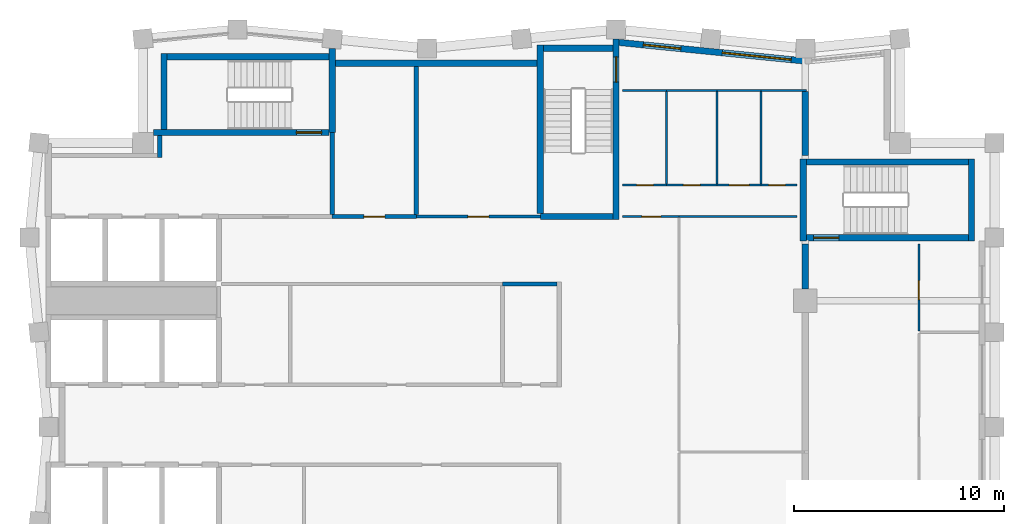
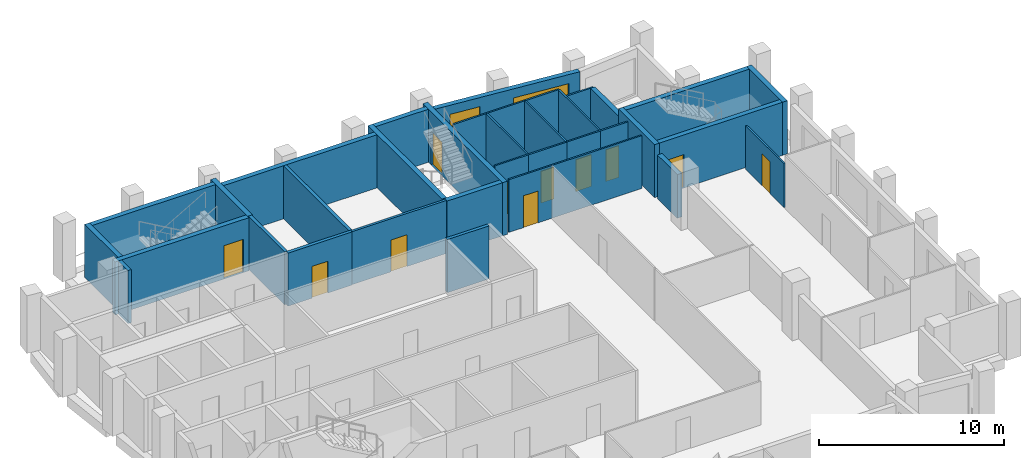
# One storey, part 5 of 7: 36 walls, 11 doors, 2 windows, 13 openings.
"""IFC4 building model written with IfcOpenShell, lengths in metres."""

from ifc_helpers import new_model, si_unit, direction, frame, frame_2d, origin, place, context, subcontext, project, spatial, rectangle, extrude, material, layer, layer_set, type_object, element, fill, save


model = new_model("IFC4")

# Units and contexts
model_context = context("Model", 3, precision=1e-05, world=origin(), true_north=direction((0.0, 1.0)))
body_context = subcontext(model_context, "Body", "Model", "MODEL_VIEW")
ifc_project = project(units=[si_unit("LENGTHUNIT", "METRE"), si_unit("AREAUNIT", "SQUARE_METRE"), si_unit("VOLUMEUNIT", "CUBIC_METRE"), si_unit("PLANEANGLEUNIT", "RADIAN"), si_unit("MASSUNIT", "GRAM", prefix="KILO")], contexts=[model_context])

# Site, building, storey
site_placement = place(None, origin())
site = spatial("IfcSite", under=ifc_project, at=site_placement, CompositionType="ELEMENT")
building_placement = place(site_placement, origin())
building = spatial("IfcBuilding", under=site, at=building_placement, Name="Brondeck Convention Tower", CompositionType="ELEMENT")
storey_placement = place(building_placement, frame((0.0, 0.0, 267.60009765625)))
storey = spatial("IfcBuildingStorey", under=building, at=storey_placement, Name="L66", CompositionType="ELEMENT", Elevation=267.60009765625)

# Walls
ifc_material_1 = material(Name="Concrete compartment wall C30/37", Category="concrete")
ifc_layer_1 = layer(ifc_material_1, 0.300048828125)
ifc_layer_set_1 = layer_set([ifc_layer_1], Name="Compartment wall 300")
wall_type_1 = type_object("IfcWallType", Name="Compartment wall 300", PredefinedType="PARTITIONING", material=ifc_layer_set_1)
wall_1_placement = place(storey_placement, frame((36.0, 51.554931640625, 0.0), z_axis=(0.0, 0.0, 1.0), x_axis=(0.0, 1.0, 0.0)))
element("IfcWall", 1, at=wall_1_placement, inside=storey, type_object=wall_type_1, Name="FLR-L66-W040", PredefinedType="PARTITIONING", context=body_context, shape_type="SweptSolid", body=[
    extrude(rectangle(XDim=2.14501953125, YDim=0.300048828125, at=frame_2d((1.072509765625, 0.0))), origin(), (0.0, 0.0, 1.0), 2.8798828125),
])
wall_2_placement = place(storey_placement, frame((36.0, 60.949951171875, 0.0), z_axis=(0.0, 0.0, 1.0), x_axis=(0.0, -1.0, 0.0)))
element("IfcWall", 2, at=wall_2_placement, inside=storey, type_object=wall_type_1, Name="FLR-L66-W052", PredefinedType="PARTITIONING", context=body_context, shape_type="SweptSolid", body=[
    extrude(rectangle(XDim=3.050048828125, YDim=0.300048828125, at=frame_2d((1.52490234375, 0.0))), origin(), (0.0, 0.0, 1.0), 2.8798828125),
])
ifc_material_2 = material(Name="Concrete C50/60", Category="concrete")
ifc_layer_2 = layer(ifc_material_2, 0.300048828125)
ifc_layer_set_2 = layer_set([ifc_layer_2], Name="Core outer wall 300 Concrete C50/60")
wall_type_2 = type_object("IfcWallType", Name="Core outer wall 300 Concrete C50/60", PredefinedType="SHEAR", material=ifc_layer_set_2)
wall_3_placement = place(storey_placement, frame((13.64990234375, 62.300048828125, 0.0), z_axis=(0.0, 0.0, 1.0), x_axis=(1.0, 0.0, 0.0)))
element("IfcWall", 3, at=wall_3_placement, inside=storey, type_object=wall_type_2, Name="L66 core wall", PredefinedType="SHEAR", context=body_context, shape_type="SweptSolid", body=[
    extrude(rectangle(XDim=9.60009765625, YDim=0.300048828125, at=frame_2d((4.800048828125, 0.0))), origin(), (0.0, 0.0, 1.0), 3.5),
])

# Wall, opening, door
ifc_material_3 = material(Name="Fire-rated gypsum board partition")
ifc_layer_3 = layer(ifc_material_3, 0.14990234375)
ifc_layer_set_3 = layer_set([ifc_layer_3], Name="Core partition 150 EI 60")
wall_type_3 = type_object("IfcWallType", Name="Core partition 150 EI 60", PredefinedType="PARTITIONING", material=ifc_layer_set_3)
wall_4_placement = place(storey_placement, frame((17.5, 55.0, 0.0), z_axis=(0.0, 0.0, 1.0), x_axis=(1.0, 0.0, 0.0)))
wall_4 = element("IfcWall", 4, at=wall_4_placement, inside=storey, type_object=wall_type_3, Name="L66 core wall", PredefinedType="PARTITIONING", context=body_context, shape_type="SweptSolid", body=[
    extrude(rectangle(XDim=5.89990234375, YDim=0.14990234375, at=frame_2d((2.949951171875, 0.0))), origin(), (0.0, 0.0, 1.0), 3.5),
])
opening_1_placement = place(wall_4_placement, frame((2.449951171875, 0.0, 0.0)))
opening_1 = element("IfcOpeningElement", 5, at=opening_1_placement, cuts=wall_4, Name="Opening C37-12", PredefinedType="OPENING", context=body_context, shape_type="SweptSolid", body=[
    extrude(rectangle(XDim=1.0, YDim=2.10009765625, at=frame_2d((0.5, 1.050048828125))), frame((0.0, 0.0849609375, 0.0), z_axis=(0.0, -1.0, 0.0), x_axis=(1.0, 0.0, 0.0)), (0.0, 0.0, 1.0), 0.169921875),
])
ifc_material_4 = material(Name="Steel fire door", Category="steel")
door_type_1 = type_object("IfcDoorType", Name="Room door 1000x2100 EI 60", OperationType="NOTDEFINED", PredefinedType="DOOR", material=ifc_material_4)
door_1_placement = place(opening_1_placement, origin())
door_1 = element("IfcDoor", 6, at=door_1_placement, inside=storey, type_object=door_type_1, Name="L66 Room door NE-2", OperationType="SINGLE_SWING_RIGHT", OverallHeight=2.10009765625, OverallWidth=1.0, PredefinedType="DOOR", context=body_context, shape_type="SweptSolid", body=[
    extrude(rectangle(XDim=1.0, YDim=2.10009765625, at=frame_2d((0.5, 1.050048828125))), frame((0.0, 0.02490234375, 0.0), z_axis=(0.0, -1.0, 0.0), x_axis=(1.0, 0.0, 0.0)), (0.0, 0.0, 1.0), 0.050048828125),
])
fill(opening_1, door_1)

# Wall, openings, windows
ifc_material_5 = material(Name="Precast concrete C50/60 bronze finish", Category="concrete")
ifc_layer_4 = layer(ifc_material_5, 0.070068359375, Name="Bronze precast facing")
ifc_material_6 = material(Name="Mineral wool")
ifc_layer_5 = layer(ifc_material_6, 0.159912109375, Name="Insulation")
ifc_material_7 = material(Name="Concrete C35/45", Category="concrete")
ifc_layer_6 = layer(ifc_material_7, 0.070068359375, Name="Backing")
ifc_layer_set_4 = layer_set([ifc_layer_4, ifc_layer_5, ifc_layer_6], Name="External infill wall, precast concrete C50/60 bronze facing")
wall_type_4 = type_object("IfcWallType", Name="External infill wall, precast concrete C50/60 bronze facing", PredefinedType="SOLIDWALL", material=ifc_layer_set_4)
wall_5_placement = place(storey_placement, frame((27.089599609375, 63.2880859375, 0.0), z_axis=(0.0, 0.0, 1.0), x_axis=(0.995035835913, -0.09951726106, 0.0)))
wall_5 = element("IfcWall", 7, at=wall_5_placement, inside=storey, type_object=wall_type_4, Name="ENV-EW-L66-P3-A-N-07", PredefinedType="SOLIDWALL", context=body_context, shape_type="SweptSolid", body=[
    extrude(rectangle(XDim=8.9248046875, YDim=0.300048828125, at=frame_2d((4.46240234375, 0.0))), origin(), (0.0, 0.0, 1.0), 3.14990234375),
])
opening_2_placement = place(wall_5_placement, frame((1.211181640625, 0.0, 0.75)))
opening_2 = element("IfcOpeningElement", 8, at=opening_2_placement, cuts=wall_5, Name="Opening W10", PredefinedType="OPENING", context=body_context, shape_type="SweptSolid", body=[
    extrude(rectangle(XDim=1.800048828125, YDim=1.800048828125, at=frame_2d((0.89990234375, 0.89990234375))), frame((0.0, 0.159912109375, 0.0), z_axis=(0.0, -1.0, 0.0), x_axis=(1.0, 0.0, 0.0)), (0.0, 0.0, 1.0), 0.320068359375),
])
opening_3_placement = place(wall_5_placement, frame((4.983642578125, 0.0, 0.14990234375)))
opening_3 = element("IfcOpeningElement", 9, at=opening_3_placement, cuts=wall_5, Name="Opening W9", PredefinedType="OPENING", context=body_context, shape_type="SweptSolid", body=[
    extrude(rectangle(XDim=3.300048828125, YDim=2.39990234375, at=frame_2d((1.64990234375, 1.199951171875))), frame((0.0, 0.159912109375, 0.0), z_axis=(0.0, -1.0, 0.0), x_axis=(1.0, 0.0, 0.0)), (0.0, 0.0, 1.0), 0.320068359375),
])
ifc_material_8 = material(Name="Bronze tinted double glazing", Category="glass")
window_type_1 = type_object("IfcWindowType", Name="Glazed flute window, bronze tinted", PartitioningType="SINGLE_PANEL", PredefinedType="WINDOW", material=ifc_material_8)
window_1_placement = place(opening_3_placement, origin())
window_1 = element("IfcWindow", 10, at=window_1_placement, inside=storey, type_object=window_type_1, Name="ENV-WN-L66-P3-A-N-07", OverallHeight=2.39990234375, OverallWidth=3.300048828125, PartitioningType="SINGLE_PANEL", PredefinedType="WINDOW", context=body_context, shape_type="SweptSolid", body=[
    extrude(rectangle(XDim=3.300048828125, YDim=2.39990234375, at=frame_2d((1.64990234375, 1.199951171875))), frame((0.0, 0.030029296875, 0.0), z_axis=(0.0, -1.0, 0.0), x_axis=(1.0, 0.0, 0.0)), (0.0, 0.0, 1.0), 0.06005859375),
])
fill(opening_3, window_1)
window_type_2 = type_object("IfcWindowType", Name="Punched window, bronze tinted", PartitioningType="SINGLE_PANEL", PredefinedType="WINDOW", material=ifc_material_8)
window_2_placement = place(opening_2_placement, origin())
window_2 = element("IfcWindow", 11, at=window_2_placement, inside=storey, type_object=window_type_2, Name="ENV-WN-L66-P3-A-N-06", OverallHeight=1.800048828125, OverallWidth=1.800048828125, PartitioningType="SINGLE_PANEL", PredefinedType="WINDOW", context=body_context, shape_type="SweptSolid", body=[
    extrude(rectangle(XDim=1.800048828125, YDim=1.800048828125, at=frame_2d((0.89990234375, 0.89990234375))), frame((0.0, 0.030029296875, 0.0), z_axis=(0.0, -1.0, 0.0), x_axis=(1.0, 0.0, 0.0)), (0.0, 0.0, 1.0), 0.06005859375),
])
fill(opening_2, window_2)

# Walls
ifc_layer_7 = layer(ifc_material_3, 0.199951171875)
ifc_layer_set_5 = layer_set([ifc_layer_7], Name="Firefighting lobby wall 200 EI 120")
wall_type_5 = type_object("IfcWallType", Name="Firefighting lobby wall 200 EI 120", PredefinedType="PARTITIONING", material=ifc_layer_set_5)
wall_6_placement = place(storey_placement, frame((5.300048828125, 57.800048828125, 0.0), z_axis=(0.0, 0.0, 1.0), x_axis=(0.0, 1.0, 0.0)))
element("IfcWall", 12, at=wall_6_placement, inside=storey, type_object=wall_type_5, Name="L66 core wall", PredefinedType="PARTITIONING", context=body_context, shape_type="SweptSolid", body=[
    extrude(rectangle(XDim=1.050048828125, YDim=0.199951171875, at=frame_2d((0.52490234375, 0.0))), origin(), (0.0, 0.0, 1.0), 3.5),
])
wall_7_placement = place(storey_placement, frame((13.5, 55.10009765625, 0.0), z_axis=(0.0, 0.0, 1.0), x_axis=(0.0, 1.0, 0.0)))
element("IfcWall", 13, at=wall_7_placement, inside=storey, type_object=wall_type_5, Name="L66 core wall", PredefinedType="PARTITIONING", context=body_context, shape_type="SweptSolid", body=[
    extrude(rectangle(XDim=3.89990234375, YDim=0.199951171875, at=frame_2d((1.949951171875, 0.0))), origin(), (0.0, 0.0, 1.0), 3.5),
])
ifc_layer_8 = layer(ifc_material_3, 0.199951171875)
ifc_layer_set_6 = layer_set([ifc_layer_8], Name="Riser wall 200 EI 120")
wall_type_6 = type_object("IfcWallType", Name="Riser wall 200 EI 120", PredefinedType="PARTITIONING", material=ifc_layer_set_6)
wall_8_placement = place(storey_placement, frame((21.60009765625, 51.800048828125, 0.0), z_axis=(0.0, 0.0, 1.0), x_axis=(1.0, 0.0, 0.0)))
element("IfcWall", 14, at=wall_8_placement, inside=storey, type_object=wall_type_6, Name="L66 core wall", PredefinedType="PARTITIONING", context=body_context, shape_type="SweptSolid", body=[
    extrude(rectangle(XDim=2.599853515625, YDim=0.199951171875, at=frame_2d((1.2998046875, 0.0))), origin(), (0.0, 0.0, 1.0), 3.5),
])

# Wall, opening, door
wall_9_placement = place(storey_placement, frame((13.5, 55.0, 0.0), z_axis=(0.0, 0.0, 1.0), x_axis=(1.0, 0.0, 0.0)))
wall_9 = element("IfcWall", 15, at=wall_9_placement, inside=storey, type_object=wall_type_6, Name="L66 core wall", PredefinedType="PARTITIONING", context=body_context, shape_type="SweptSolid", body=[
    extrude(rectangle(XDim=4.0, YDim=0.199951171875, at=frame_2d((2.0, 0.0))), origin(), (0.0, 0.0, 1.0), 3.5),
])
opening_4_placement = place(wall_9_placement, frame((1.5, 0.0, 0.0)))
opening_4 = element("IfcOpeningElement", 16, at=opening_4_placement, cuts=wall_9, Name="Opening C37-11", PredefinedType="OPENING", context=body_context, shape_type="SweptSolid", body=[
    extrude(rectangle(XDim=1.0, YDim=2.10009765625, at=frame_2d((0.5, 1.050048828125))), frame((0.0, 0.10986328125, 0.0), z_axis=(0.0, -1.0, 0.0), x_axis=(1.0, 0.0, 0.0)), (0.0, 0.0, 1.0), 0.219970703125),
])
door_type_2 = type_object("IfcDoorType", Name="Riser door 1000x2100 EI 120", OperationType="NOTDEFINED", PredefinedType="DOOR", material=ifc_material_4)
door_2_placement = place(opening_4_placement, origin())
door_2 = element("IfcDoor", 17, at=door_2_placement, inside=storey, type_object=door_type_2, Name="L66 Riser door NE-1", OperationType="SINGLE_SWING_LEFT", OverallHeight=2.10009765625, OverallWidth=1.0, PredefinedType="DOOR", context=body_context, shape_type="SweptSolid", body=[
    extrude(rectangle(XDim=1.0, YDim=2.10009765625, at=frame_2d((0.5, 1.050048828125))), frame((0.0, 0.02490234375, 0.0), z_axis=(0.0, -1.0, 0.0), x_axis=(1.0, 0.0, 0.0)), (0.0, 0.0, 1.0), 0.050048828125),
])
fill(opening_4, door_2)

# Wall
wall_10_placement = place(storey_placement, frame((17.5, 55.10009765625, 0.0), z_axis=(0.0, 0.0, 1.0), x_axis=(0.0, 1.0, 0.0)))
element("IfcWall", 18, at=wall_10_placement, inside=storey, type_object=wall_type_6, Name="L66 core wall", PredefinedType="PARTITIONING", context=body_context, shape_type="SweptSolid", body=[
    extrude(rectangle(XDim=7.0498046875, YDim=0.199951171875, at=frame_2d((3.52490234375, 0.0))), origin(), (0.0, 0.0, 1.0), 3.5),
])

# Wall, opening, door
ifc_material_9 = material(Name="Gypsum board partition on steel studs", Category="steel")
ifc_layer_9 = layer(ifc_material_9, 0.10009765625)
ifc_layer_set_7 = layer_set([ifc_layer_9], Name="Room partition 100")
wall_type_7 = type_object("IfcWallType", Name="Room partition 100", PredefinedType="PARTITIONING", material=ifc_layer_set_7)
wall_11_placement = place(storey_placement, frame((41.39990234375, 53.699951171875, 0.0), z_axis=(0.0, 0.0, 1.0), x_axis=(0.0, -1.0, 0.0)))
wall_11 = element("IfcWall", 19, at=wall_11_placement, inside=storey, type_object=wall_type_7, Name="FLR-L66-W041", PredefinedType="PARTITIONING", context=body_context, shape_type="SweptSolid", body=[
    extrude(rectangle(XDim=4.14990234375, YDim=0.10009765625, at=frame_2d((2.074951171875, 0.0))), origin(), (0.0, 0.0, 1.0), 2.8798828125),
])
opening_5_placement = place(wall_11_placement, frame((1.75, 0.0, 0.0)))
opening_5 = element("IfcOpeningElement", 20, at=opening_5_placement, cuts=wall_11, Name="Opening EX-C-003", PredefinedType="OPENING", context=body_context, shape_type="SweptSolid", body=[
    extrude(rectangle(XDim=0.89990234375, YDim=2.10009765625, at=frame_2d((0.449951171875, 1.050048828125))), frame((0.0, 0.06005859375, 0.0), z_axis=(0.0, -1.0, 0.0), x_axis=(1.0, 0.0, 0.0)), (0.0, 0.0, 1.0), 0.1201171875),
])
ifc_material_10 = material(Name="Solid timber door leaf", Category="wood")
door_type_3 = type_object("IfcDoorType", Name="Single door 900", OperationType="NOTDEFINED", PredefinedType="DOOR", material=ifc_material_10)
door_3_placement = place(opening_5_placement, origin())
door_3 = element("IfcDoor", 21, at=door_3_placement, inside=storey, type_object=door_type_3, Name="Door EX-C-003", OperationType="SINGLE_SWING_RIGHT", OverallHeight=2.10009765625, OverallWidth=0.89990234375, PredefinedType="DOOR", context=body_context, shape_type="SweptSolid", body=[
    extrude(rectangle(XDim=0.89990234375, YDim=2.10009765625, at=frame_2d((0.449951171875, 1.050048828125))), frame((0.0, 0.02490234375, 0.0), z_axis=(0.0, -1.0, 0.0), x_axis=(1.0, 0.0, 0.0)), (0.0, 0.0, 1.0), 0.050048828125),
])
fill(opening_5, door_3)

wall_12_placement = place(storey_placement, frame((27.300048828125, 55.0, 0.0), z_axis=(0.0, 0.0, 1.0), x_axis=(1.0, 0.0, 0.0)))
wall_12 = element("IfcWall", 22, at=wall_12_placement, inside=storey, type_object=wall_type_7, Name="FLR-L66-W043", PredefinedType="PARTITIONING", context=body_context, shape_type="SweptSolid", body=[
    extrude(rectangle(XDim=2.699951171875, YDim=0.10009765625, at=frame_2d((1.35009765625, 0.0))), origin(), (0.0, 0.0, 1.0), 3.47998046875),
])
opening_6_placement = place(wall_12_placement, frame((0.925048828125, 0.0, 0.0)))
opening_6 = element("IfcOpeningElement", 23, at=opening_6_placement, cuts=wall_12, Name="Opening EX-C-009", PredefinedType="OPENING", context=body_context, shape_type="SweptSolid", body=[
    extrude(rectangle(XDim=0.89990234375, YDim=2.10009765625, at=frame_2d((0.449951171875, 1.050048828125))), frame((0.0, 0.06005859375, 0.0), z_axis=(0.0, -1.0, 0.0), x_axis=(1.0, 0.0, 0.0)), (0.0, 0.0, 1.0), 0.1201171875),
])
door_4_placement = place(opening_6_placement, origin())
door_4 = element("IfcDoor", 24, at=door_4_placement, inside=storey, type_object=door_type_3, Name="Door EX-C-009", OperationType="SINGLE_SWING_LEFT", OverallHeight=2.10009765625, OverallWidth=0.89990234375, PredefinedType="DOOR", context=body_context, shape_type="SweptSolid", body=[
    extrude(rectangle(XDim=0.89990234375, YDim=2.10009765625, at=frame_2d((0.449951171875, 1.050048828125))), frame((0.0, 0.02490234375, 0.0), z_axis=(0.0, -1.0, 0.0), x_axis=(1.0, 0.0, 0.0)), (0.0, 0.0, 1.0), 0.050048828125),
])
fill(opening_6, door_4)

# Wall
wall_13_placement = place(storey_placement, frame((35.60009765625, 55.0, 0.0), z_axis=(0.0, 0.0, 1.0), x_axis=(-1.0, 0.0, 0.0)))
element("IfcWall", 25, at=wall_13_placement, inside=storey, type_object=wall_type_7, Name="FLR-L66-W044", PredefinedType="PARTITIONING", context=body_context, shape_type="SweptSolid", body=[
    extrude(rectangle(XDim=5.60009765625, YDim=0.10009765625, at=frame_2d((2.800048828125, 0.0))), origin(), (0.0, 0.0, 1.0), 3.47998046875),
])

# Wall, opening, door
wall_14_placement = place(storey_placement, frame((27.300048828125, 56.5, 0.0), z_axis=(0.0, 0.0, 1.0), x_axis=(1.0, 0.0, 0.0)))
wall_14 = element("IfcWall", 26, at=wall_14_placement, inside=storey, type_object=wall_type_7, Name="FLR-L66-W045", PredefinedType="PARTITIONING", context=body_context, shape_type="SweptSolid", body=[
    extrude(rectangle(XDim=2.099853515625, YDim=0.10009765625, at=frame_2d((1.0498046875, 0.0))), origin(), (0.0, 0.0, 1.0), 3.47998046875),
])
opening_7_placement = place(wall_14_placement, frame((0.675048828125, 0.0, 0.0)))
opening_7 = element("IfcOpeningElement", 27, at=opening_7_placement, cuts=wall_14, Name="Opening EX-C-010", PredefinedType="OPENING", context=body_context, shape_type="SweptSolid", body=[
    extrude(rectangle(XDim=0.800048828125, YDim=2.10009765625, at=frame_2d((0.39990234375, 1.050048828125))), frame((0.0, 0.06005859375, 0.0), z_axis=(0.0, -1.0, 0.0), x_axis=(1.0, 0.0, 0.0)), (0.0, 0.0, 1.0), 0.1201171875),
])
door_type_4 = type_object("IfcDoorType", Name="En-suite door 800", OperationType="NOTDEFINED", PredefinedType="DOOR", material=ifc_material_10)
door_5_placement = place(opening_7_placement, origin())
door_5 = element("IfcDoor", 28, at=door_5_placement, inside=storey, type_object=door_type_4, Name="Door EX-C-010", OperationType="SINGLE_SWING_LEFT", OverallHeight=2.10009765625, OverallWidth=0.800048828125, PredefinedType="DOOR", context=body_context, shape_type="SweptSolid", body=[
    extrude(rectangle(XDim=0.800048828125, YDim=2.10009765625, at=frame_2d((0.39990234375, 1.050048828125))), frame((0.0, 0.02490234375, 0.0), z_axis=(0.0, -1.0, 0.0), x_axis=(1.0, 0.0, 0.0)), (0.0, 0.0, 1.0), 0.050048828125),
])
fill(opening_7, door_5)

wall_15_placement = place(storey_placement, frame((29.39990234375, 56.5, 0.0), z_axis=(0.0, 0.0, 1.0), x_axis=(1.0, 0.0, 0.0)))
wall_15 = element("IfcWall", 29, at=wall_15_placement, inside=storey, type_object=wall_type_7, Name="FLR-L66-W046", PredefinedType="PARTITIONING", context=body_context, shape_type="SweptSolid", body=[
    extrude(rectangle(XDim=2.400146484375, YDim=0.10009765625, at=frame_2d((1.2001953125, 0.0))), origin(), (0.0, 0.0, 1.0), 3.47998046875),
])
opening_8_placement = place(wall_15_placement, frame((0.800048828125, 0.0, 0.0)))
opening_8 = element("IfcOpeningElement", 30, at=opening_8_placement, cuts=wall_15, Name="Opening EX-C-011", PredefinedType="OPENING", context=body_context, shape_type="SweptSolid", body=[
    extrude(rectangle(XDim=0.800048828125, YDim=2.10009765625, at=frame_2d((0.39990234375, 1.050048828125))), frame((0.0, 0.06005859375, 0.0), z_axis=(0.0, -1.0, 0.0), x_axis=(1.0, 0.0, 0.0)), (0.0, 0.0, 1.0), 0.1201171875),
])
door_6_placement = place(opening_8_placement, origin())
door_6 = element("IfcDoor", 31, at=door_6_placement, inside=storey, type_object=door_type_4, Name="Door EX-C-011", OperationType="SINGLE_SWING_RIGHT", OverallHeight=2.10009765625, OverallWidth=0.800048828125, PredefinedType="DOOR", context=body_context, shape_type="SweptSolid", body=[
    extrude(rectangle(XDim=0.800048828125, YDim=2.10009765625, at=frame_2d((0.39990234375, 1.050048828125))), frame((0.0, 0.02490234375, 0.0), z_axis=(0.0, -1.0, 0.0), x_axis=(1.0, 0.0, 0.0)), (0.0, 0.0, 1.0), 0.050048828125),
])
fill(opening_8, door_6)

wall_16_placement = place(storey_placement, frame((31.800048828125, 56.5, 0.0), z_axis=(0.0, 0.0, 1.0), x_axis=(1.0, 0.0, 0.0)))
wall_16 = element("IfcWall", 32, at=wall_16_placement, inside=storey, type_object=wall_type_7, Name="FLR-L66-W047", PredefinedType="PARTITIONING", context=body_context, shape_type="SweptSolid", body=[
    extrude(rectangle(XDim=2.099853515625, YDim=0.10009765625, at=frame_2d((1.0498046875, 0.0))), origin(), (0.0, 0.0, 1.0), 3.47998046875),
])
opening_9_placement = place(wall_16_placement, frame((0.574951171875, 0.0, 0.0)))
opening_9 = element("IfcOpeningElement", 33, at=opening_9_placement, cuts=wall_16, Name="Opening EX-C-012", PredefinedType="OPENING", context=body_context, shape_type="SweptSolid", body=[
    extrude(rectangle(XDim=0.949951171875, YDim=2.10009765625, at=frame_2d((0.47509765625, 1.050048828125))), frame((0.0, 0.06005859375, 0.0), z_axis=(0.0, -1.0, 0.0), x_axis=(1.0, 0.0, 0.0)), (0.0, 0.0, 1.0), 0.1201171875),
])
door_type_5 = type_object("IfcDoorType", Name="Accessible door 950", OperationType="NOTDEFINED", PredefinedType="DOOR", material=ifc_material_10)
door_7_placement = place(opening_9_placement, origin())
door_7 = element("IfcDoor", 34, at=door_7_placement, inside=storey, type_object=door_type_5, Name="Door EX-C-012", OperationType="SINGLE_SWING_LEFT", OverallHeight=2.10009765625, OverallWidth=0.949951171875, PredefinedType="DOOR", context=body_context, shape_type="SweptSolid", body=[
    extrude(rectangle(XDim=0.949951171875, YDim=2.10009765625, at=frame_2d((0.47509765625, 1.050048828125))), frame((0.0, 0.02490234375, 0.0), z_axis=(0.0, -1.0, 0.0), x_axis=(1.0, 0.0, 0.0)), (0.0, 0.0, 1.0), 0.050048828125),
])
fill(opening_9, door_7)

wall_17_placement = place(storey_placement, frame((33.89990234375, 56.5, 0.0), z_axis=(0.0, 0.0, 1.0), x_axis=(1.0, 0.0, 0.0)))
wall_17 = element("IfcWall", 35, at=wall_17_placement, inside=storey, type_object=wall_type_7, Name="FLR-L66-W048", PredefinedType="PARTITIONING", context=body_context, shape_type="SweptSolid", body=[
    extrude(rectangle(XDim=1.7001953125, YDim=0.10009765625, at=frame_2d((0.85009765625, 0.0))), origin(), (0.0, 0.0, 1.0), 3.47998046875),
])
opening_10_placement = place(wall_17_placement, frame((0.35009765625, 0.0, 0.0)))
opening_10 = element("IfcOpeningElement", 36, at=opening_10_placement, cuts=wall_17, Name="Opening EX-C-013", PredefinedType="OPENING", context=body_context, shape_type="SweptSolid", body=[
    extrude(rectangle(XDim=0.800048828125, YDim=2.10009765625, at=frame_2d((0.39990234375, 1.050048828125))), frame((0.0, 0.06005859375, 0.0), z_axis=(0.0, -1.0, 0.0), x_axis=(1.0, 0.0, 0.0)), (0.0, 0.0, 1.0), 0.1201171875),
])
ifc_material_11 = material(Name="Steel service door leaf", Category="steel")
door_type_6 = type_object("IfcDoorType", Name="Service door 800", OperationType="NOTDEFINED", PredefinedType="DOOR", material=ifc_material_11)
door_8_placement = place(opening_10_placement, origin())
door_8 = element("IfcDoor", 37, at=door_8_placement, inside=storey, type_object=door_type_6, Name="Door EX-C-013", OperationType="SINGLE_SWING_LEFT", OverallHeight=2.10009765625, OverallWidth=0.800048828125, PredefinedType="DOOR", context=body_context, shape_type="SweptSolid", body=[
    extrude(rectangle(XDim=0.800048828125, YDim=2.10009765625, at=frame_2d((0.39990234375, 1.050048828125))), frame((0.0, 0.02490234375, 0.0), z_axis=(0.0, -1.0, 0.0), x_axis=(1.0, 0.0, 0.0)), (0.0, 0.0, 1.0), 0.050048828125),
])
fill(opening_10, door_8)

# Walls
for number, where, z_axis, x_axis, name in (
    (38, (29.39990234375, 60.949951171875, 0.0), (0.0, 0.0, 1.0), (0.0, -1.0, 0.0), "FLR-L66-W049"),
    (39, (31.800048828125, 60.949951171875, 0.0), (0.0, 0.0, 1.0), (0.0, -1.0, 0.0), "FLR-L66-W050"),
    (40, (33.89990234375, 60.949951171875, 0.0), (0.0, 0.0, 1.0), (0.0, -1.0, 0.0), "FLR-L66-W051"),
):
    element("IfcWall", number, at=place(storey_placement, frame(where, z_axis=z_axis, x_axis=x_axis)), inside=storey, type_object=wall_type_7, Name=name, PredefinedType="PARTITIONING", context=body_context, shape_type="SweptSolid", body=[
        extrude(rectangle(XDim=4.39990234375, YDim=0.10009765625, at=frame_2d((2.199951171875, 0.0))), origin(), (0.0, 0.0, 1.0), 3.47998046875),
    ])
wall_18_placement = place(storey_placement, frame((27.300048828125, 61.0, 0.0), z_axis=(0.0, 0.0, 1.0), x_axis=(1.0, 0.0, 0.0)))
element("IfcWall", 41, at=wall_18_placement, inside=storey, type_object=wall_type_7, Name="FLR-L66-W053", PredefinedType="PARTITIONING", context=body_context, shape_type="SweptSolid", body=[
    extrude(rectangle(XDim=2.099853515625, YDim=0.10009765625, at=frame_2d((1.0498046875, 0.0))), origin(), (0.0, 0.0, 1.0), 3.47998046875),
])
wall_19_placement = place(storey_placement, frame((29.39990234375, 61.0, 0.0), z_axis=(0.0, 0.0, 1.0), x_axis=(1.0, 0.0, 0.0)))
element("IfcWall", 42, at=wall_19_placement, inside=storey, type_object=wall_type_7, Name="FLR-L66-W054", PredefinedType="PARTITIONING", context=body_context, shape_type="SweptSolid", body=[
    extrude(rectangle(XDim=2.400146484375, YDim=0.10009765625, at=frame_2d((1.2001953125, 0.0))), origin(), (0.0, 0.0, 1.0), 3.47998046875),
])
wall_20_placement = place(storey_placement, frame((31.800048828125, 61.0, 0.0), z_axis=(0.0, 0.0, 1.0), x_axis=(1.0, 0.0, 0.0)))
element("IfcWall", 43, at=wall_20_placement, inside=storey, type_object=wall_type_7, Name="FLR-L66-W055", PredefinedType="PARTITIONING", context=body_context, shape_type="SweptSolid", body=[
    extrude(rectangle(XDim=2.099853515625, YDim=0.10009765625, at=frame_2d((1.0498046875, 0.0))), origin(), (0.0, 0.0, 1.0), 3.47998046875),
])
wall_21_placement = place(storey_placement, frame((33.89990234375, 61.0, 0.0), z_axis=(0.0, 0.0, 1.0), x_axis=(1.0, 0.0, 0.0)))
element("IfcWall", 44, at=wall_21_placement, inside=storey, type_object=wall_type_7, Name="FLR-L66-W056", PredefinedType="PARTITIONING", context=body_context, shape_type="SweptSolid", body=[
    extrude(rectangle(XDim=2.150146484375, YDim=0.10009765625, at=frame_2d((1.0751953125, 0.0))), origin(), (0.0, 0.0, 1.0), 2.8798828125),
])

# Wall, opening, door
ifc_layer_10 = layer(ifc_material_2, 0.300048828125)
ifc_layer_set_8 = layer_set([ifc_layer_10], Name="Stair enclosure wall 300 Concrete C50/60")
wall_type_8 = type_object("IfcWallType", Name="Stair enclosure wall 300 Concrete C50/60", PredefinedType="SHEAR", material=ifc_layer_set_8)
wall_22_placement = place(storey_placement, frame((36.050048828125, 54.0, 0.0), z_axis=(0.0, 0.0, 1.0), x_axis=(1.0, 0.0, 0.0)))
wall_22 = element("IfcWall", 45, at=wall_22_placement, inside=storey, type_object=wall_type_8, Name="L66 core wall", PredefinedType="SHEAR", context=body_context, shape_type="SweptSolid", body=[
    extrude(rectangle(XDim=7.699951171875, YDim=0.300048828125, at=frame_2d((3.85009765625, 0.0))), origin(), (0.0, 0.0, 1.0), 3.5),
])
opening_11_placement = place(wall_22_placement, frame((0.35009765625, 0.0, 0.0)))
opening_11 = element("IfcOpeningElement", 46, at=opening_11_placement, cuts=wall_22, Name="Opening C37-16", PredefinedType="OPENING", context=body_context, shape_type="SweptSolid", body=[
    extrude(rectangle(XDim=1.199951171875, YDim=2.199951171875, at=frame_2d((0.60009765625, 1.10009765625))), frame((0.0, 0.159912109375, 0.0), z_axis=(0.0, -1.0, 0.0), x_axis=(1.0, 0.0, 0.0)), (0.0, 0.0, 1.0), 0.320068359375),
])
door_type_7 = type_object("IfcDoorType", Name="Stair door 1200x2200 EI 90", OperationType="NOTDEFINED", PredefinedType="DOOR", material=ifc_material_4)
door_9_placement = place(opening_11_placement, origin())
door_9 = element("IfcDoor", 47, at=door_9_placement, inside=storey, type_object=door_type_7, Name="L66 Stair door ST-AE", OperationType="SINGLE_SWING_LEFT", OverallHeight=2.199951171875, OverallWidth=1.199951171875, PredefinedType="DOOR", context=body_context, shape_type="SweptSolid", body=[
    extrude(rectangle(XDim=1.199951171875, YDim=2.199951171875, at=frame_2d((0.60009765625, 1.10009765625))), frame((0.0, 0.02490234375, 0.0), z_axis=(0.0, -1.0, 0.0), x_axis=(1.0, 0.0, 0.0)), (0.0, 0.0, 1.0), 0.050048828125),
])
fill(opening_11, door_9)

# Walls
wall_23_placement = place(storey_placement, frame((23.39990234375, 55.0, 0.0), z_axis=(0.0, 0.0, 1.0), x_axis=(1.0, 0.0, 0.0)))
element("IfcWall", 48, at=wall_23_placement, inside=storey, type_object=wall_type_8, Name="L66 core wall", PredefinedType="SHEAR", context=body_context, shape_type="SweptSolid", body=[
    extrude(rectangle(XDim=3.4501953125, YDim=0.300048828125, at=frame_2d((1.72509765625, 0.0))), origin(), (0.0, 0.0, 1.0), 3.5),
])
wall_24_placement = place(storey_placement, frame((36.050048828125, 57.60009765625, 0.0), z_axis=(0.0, 0.0, 1.0), x_axis=(1.0, 0.0, 0.0)))
element("IfcWall", 49, at=wall_24_placement, inside=storey, type_object=wall_type_8, Name="L66 core wall", PredefinedType="SHEAR", context=body_context, shape_type="SweptSolid", body=[
    extrude(rectangle(XDim=7.699951171875, YDim=0.300048828125, at=frame_2d((3.85009765625, 0.0))), origin(), (0.0, 0.0, 1.0), 3.5),
])

# Wall, opening, door
wall_25_placement = place(storey_placement, frame((5.0, 59.0, 0.0), z_axis=(0.0, 0.0, 1.0), x_axis=(1.0, 0.0, 0.0)))
wall_25 = element("IfcWall", 50, at=wall_25_placement, inside=storey, type_object=wall_type_8, Name="L66 core wall", PredefinedType="SHEAR", context=body_context, shape_type="SweptSolid", body=[
    extrude(rectangle(XDim=8.35009765625, YDim=0.300048828125, at=frame_2d((4.175048828125, 0.0))), origin(), (0.0, 0.0, 1.0), 3.5),
])
opening_12_placement = place(wall_25_placement, frame((6.800048828125, 0.0, 0.0)))
opening_12 = element("IfcOpeningElement", 51, at=opening_12_placement, cuts=wall_25, Name="Opening C37-15", PredefinedType="OPENING", context=body_context, shape_type="SweptSolid", body=[
    extrude(rectangle(XDim=1.199951171875, YDim=2.199951171875, at=frame_2d((0.60009765625, 1.10009765625))), frame((0.0, 0.159912109375, 0.0), z_axis=(0.0, -1.0, 0.0), x_axis=(1.0, 0.0, 0.0)), (0.0, 0.0, 1.0), 0.320068359375),
])
door_type_8 = type_object("IfcDoorType", Name="Stair door 1200x2200 EI 120", OperationType="NOTDEFINED", PredefinedType="DOOR", material=ifc_material_4)
door_10_placement = place(opening_12_placement, origin())
door_10 = element("IfcDoor", 52, at=door_10_placement, inside=storey, type_object=door_type_8, Name="L66 Stair door ST-3", OperationType="SINGLE_SWING_RIGHT", OverallHeight=2.199951171875, OverallWidth=1.199951171875, PredefinedType="DOOR", context=body_context, shape_type="SweptSolid", body=[
    extrude(rectangle(XDim=1.199951171875, YDim=2.199951171875, at=frame_2d((0.60009765625, 1.10009765625))), frame((0.0, 0.02490234375, 0.0), z_axis=(0.0, -1.0, 0.0), x_axis=(1.0, 0.0, 0.0)), (0.0, 0.0, 1.0), 0.050048828125),
])
fill(opening_12, door_10)

# Walls
wall_26_placement = place(storey_placement, frame((5.64990234375, 62.60009765625, 0.0), z_axis=(0.0, 0.0, 1.0), x_axis=(1.0, 0.0, 0.0)))
element("IfcWall", 53, at=wall_26_placement, inside=storey, type_object=wall_type_8, Name="L66 core wall", PredefinedType="SHEAR", context=body_context, shape_type="SweptSolid", body=[
    extrude(rectangle(XDim=7.7001953125, YDim=0.300048828125, at=frame_2d((3.85009765625, 0.0))), origin(), (0.0, 0.0, 1.0), 3.5),
])
wall_27_placement = place(storey_placement, frame((23.550048828125, 63.0, 0.0), z_axis=(0.0, 0.0, 1.0), x_axis=(1.0, 0.0, 0.0)))
element("IfcWall", 54, at=wall_27_placement, inside=storey, type_object=wall_type_8, Name="L66 core wall", PredefinedType="SHEAR", context=body_context, shape_type="SweptSolid", body=[
    extrude(rectangle(XDim=3.300048828125, YDim=0.300048828125, at=frame_2d((1.64990234375, 0.0))), origin(), (0.0, 0.0, 1.0), 3.5),
])
wall_28_placement = place(storey_placement, frame((5.5, 59.14990234375, 0.0), z_axis=(0.0, 0.0, 1.0), x_axis=(0.0, 1.0, 0.0)))
element("IfcWall", 55, at=wall_28_placement, inside=storey, type_object=wall_type_8, Name="L66 core wall", PredefinedType="SHEAR", context=body_context, shape_type="SweptSolid", body=[
    extrude(rectangle(XDim=3.60009765625, YDim=0.300048828125, at=frame_2d((1.800048828125, 0.0))), origin(), (0.0, 0.0, 1.0), 3.5),
])
wall_29_placement = place(storey_placement, frame((13.5, 59.0, 0.0), z_axis=(0.0, 0.0, 1.0), x_axis=(0.0, 1.0, 0.0)))
element("IfcWall", 56, at=wall_29_placement, inside=storey, type_object=wall_type_8, Name="L66 core wall", PredefinedType="SHEAR", context=body_context, shape_type="SweptSolid", body=[
    extrude(rectangle(XDim=3.997802734375, YDim=0.300048828125, at=frame_2d((1.9990234375, 0.0))), origin(), (0.0, 0.0, 1.0), 3.5),
])
wall_30_placement = place(storey_placement, frame((23.39990234375, 55.14990234375, 0.0), z_axis=(0.0, 0.0, 1.0), x_axis=(0.0, 1.0, 0.0)))
element("IfcWall", 57, at=wall_30_placement, inside=storey, type_object=wall_type_8, Name="L66 core wall", PredefinedType="SHEAR", context=body_context, shape_type="SweptSolid", body=[
    extrude(rectangle(XDim=8.0, YDim=0.300048828125, at=frame_2d((4.0, 0.0))), origin(), (0.0, 0.0, 1.0), 3.5),
])

# Wall, opening, door
wall_31_placement = place(storey_placement, frame((27.0, 54.85009765625, 0.0), z_axis=(0.0, 0.0, 1.0), x_axis=(0.0, 1.0, 0.0)))
wall_31 = element("IfcWall", 58, at=wall_31_placement, inside=storey, type_object=wall_type_8, Name="L66 core wall", PredefinedType="SHEAR", context=body_context, shape_type="SweptSolid", body=[
    extrude(rectangle(XDim=8.599853515625, YDim=0.300048828125, at=frame_2d((4.2998046875, 0.0))), origin(), (0.0, 0.0, 1.0), 3.5),
])
opening_13_placement = place(wall_31_placement, frame((6.550048828125, 0.0, 0.0)))
opening_13 = element("IfcOpeningElement", 59, at=opening_13_placement, cuts=wall_31, Name="Opening C37-14", PredefinedType="OPENING", context=body_context, shape_type="SweptSolid", body=[
    extrude(rectangle(XDim=1.199951171875, YDim=2.199951171875, at=frame_2d((0.60009765625, 1.10009765625))), frame((0.0, 0.159912109375, 0.0), z_axis=(0.0, -1.0, 0.0), x_axis=(1.0, 0.0, 0.0)), (0.0, 0.0, 1.0), 0.320068359375),
])
door_11_placement = place(opening_13_placement, origin())
door_11 = element("IfcDoor", 60, at=door_11_placement, inside=storey, type_object=door_type_7, Name="L66 Stair door ST-2", OperationType="SINGLE_SWING_LEFT", OverallHeight=2.199951171875, OverallWidth=1.199951171875, PredefinedType="DOOR", context=body_context, shape_type="SweptSolid", body=[
    extrude(rectangle(XDim=1.199951171875, YDim=2.199951171875, at=frame_2d((0.60009765625, 1.10009765625))), frame((0.0, 0.02490234375, 0.0), z_axis=(0.0, -1.0, 0.0), x_axis=(1.0, 0.0, 0.0)), (0.0, 0.0, 1.0), 0.050048828125),
])
fill(opening_13, door_11)

# Walls
for number, where, z_axis, x_axis, name in (
    (61, (35.89990234375, 53.85009765625, 0.0), (0.0, 0.0, 1.0), (0.0, 1.0, 0.0), "L66 core wall"),
    (62, (43.89990234375, 53.85009765625, 0.0), (0.0, 0.0, 1.0), (0.0, 1.0, 0.0), "L66 core wall"),
):
    element("IfcWall", number, at=place(storey_placement, frame(where, z_axis=z_axis, x_axis=x_axis)), inside=storey, type_object=wall_type_8, Name=name, PredefinedType="SHEAR", context=body_context, shape_type="SweptSolid", body=[
        extrude(rectangle(XDim=3.89990234375, YDim=0.300048828125, at=frame_2d((1.949951171875, 0.0))), origin(), (0.0, 0.0, 1.0), 3.5),
    ])

save(model, "model.ifc")
